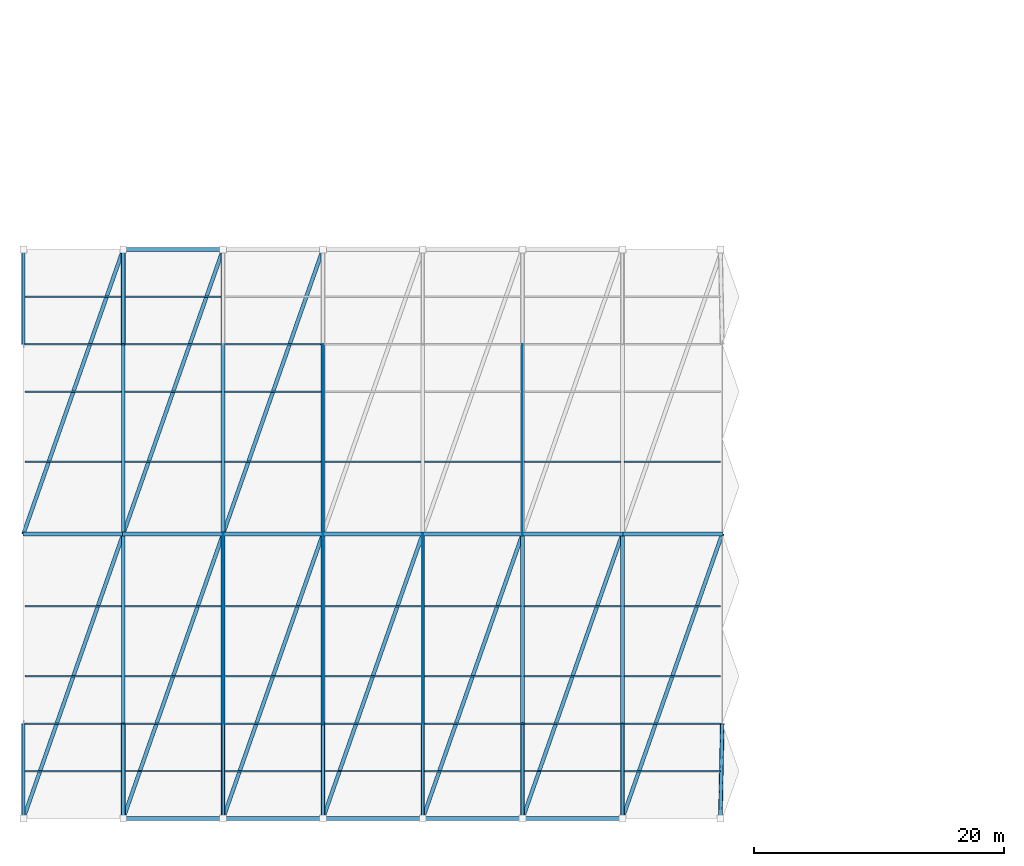
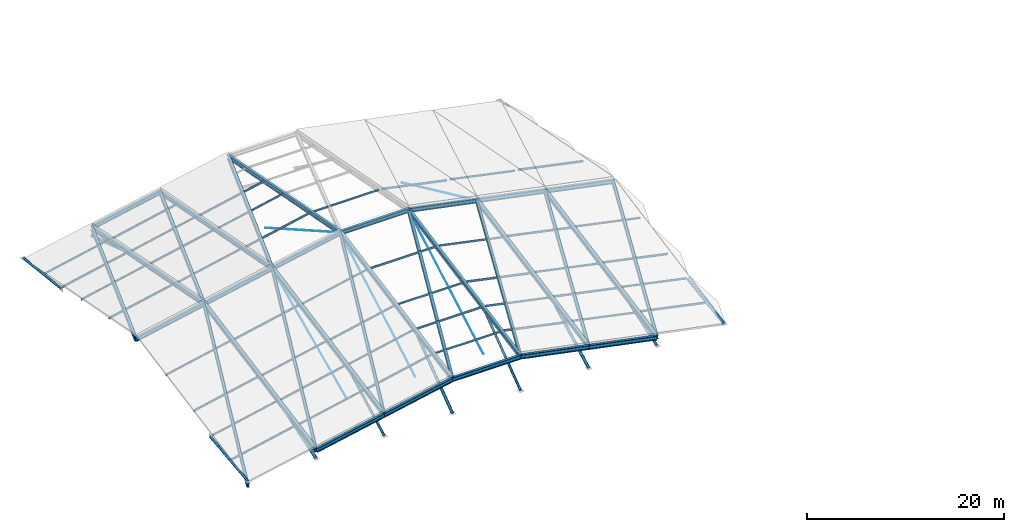
# One storey, part 1 of 9: 58 members, 32 beams.
"""IFC4 building model written with IfcOpenShell, lengths in metres."""

from ifc_helpers import new_model, si_unit, direction, frame, origin, origin_2d, place, context, subcontext, project, spatial, circle, hollow_circle, i_section, extrude, material, material_profile, profile_set, type_object, element, save


model = new_model("IFC4")

# Units and contexts
model_context = context("Model", 3, precision=1e-05, world=origin(), true_north=direction((0.0, 1.0)))
body_context = subcontext(model_context, "Body", "Model", "MODEL_VIEW")
ifc_project = project(units=[si_unit("LENGTHUNIT", "METRE"), si_unit("AREAUNIT", "SQUARE_METRE"), si_unit("VOLUMEUNIT", "CUBIC_METRE"), si_unit("PLANEANGLEUNIT", "RADIAN"), si_unit("MASSUNIT", "GRAM", prefix="KILO")], contexts=[model_context])

# Site, building, storey
site_placement = place(None, origin())
site = spatial("IfcSite", under=ifc_project, at=site_placement, CompositionType="ELEMENT")
building_placement = place(site_placement, origin())
building = spatial("IfcBuilding", under=site, at=building_placement, Name="Khelvaren Railside Concert Hall", CompositionType="ELEMENT")
storey_placement = place(building_placement, frame((0.0, 0.0, 29.39990234375)))
storey = spatial("IfcBuildingStorey", under=building, at=storey_placement, Name="ROOF", CompositionType="ELEMENT", Elevation=29.39990234375)

# Beams
ifc_material_1 = material(Name="Steel S355", Category="steel")
ifc_material_profile_1 = material_profile(ifc_material_1, i_section(OverallWidth=0.300048828125, OverallDepth=0.5, WebThickness=0.014404296875, FlangeThickness=0.028076171875, FilletRadius=0.027099609375, at=origin_2d()), Name="HEB 500")
ifc_profile_set_1 = profile_set([ifc_material_profile_1], Name="Steel S355")
beam_type = type_object("IfcBeamType", Name="BM98", PredefinedType="BEAM", material=ifc_profile_set_1)
for number, where, z_axis, x_axis, name in (
    (1, (8.0, 0.0, -1.567138671875), (0.0, 0.982190143434, 0.187889654161), (-1.0, 0.0, 0.0), "Main Hall Crystal Roof Beam B1-RAFSE"),
    (2, (8.0, 22.800048828125, 2.79443359375), (0.0, 0.982190143434, -0.187889654161), (-1.0, 0.0, 0.0), "Main Hall Crystal Roof Beam B1-RAFNE"),
):
    element("IfcBeam", number, at=place(storey_placement, frame(where, z_axis=z_axis, x_axis=x_axis)), inside=storey, type_object=beam_type, Name=name, PredefinedType="BEAM", context=body_context, shape_type="SweptSolid", body=[
        extrude(i_section(OverallWidth=0.300048828125, OverallDepth=0.5, WebThickness=0.014404296875, FlangeThickness=0.028076171875, FilletRadius=0.027099609375, at=origin_2d()), origin(), (0.0, 0.0, 1.0), 23.21337890625),
    ])
beam_1_placement = place(storey_placement, frame((0.0, 22.800048828125, 1.181640625), z_axis=(0.980278058899, 0.0, 0.197623195101), x_axis=(0.0, 1.0, 0.0)))
element("IfcBeam", 3, at=beam_1_placement, inside=storey, type_object=beam_type, Name="Main Hall Crystal Roof Beam B1-RIDGE", PredefinedType="BEAM", context=body_context, shape_type="SweptSolid", body=[
    extrude(i_section(OverallWidth=0.300048828125, OverallDepth=0.5, WebThickness=0.014404296875, FlangeThickness=0.028076171875, FilletRadius=0.027099609375, at=origin_2d()), origin(), (0.0, 0.0, 1.0), 8.160888671875),
])
beam_2_placement = place(storey_placement, frame((0.0, 0.0, -3.179931640625), z_axis=(0.321408213141, 0.916015369171, 0.240026256829), x_axis=(-0.94360020365, 0.331087081704, 0.0)))
element("IfcBeam", 4, at=beam_2_placement, inside=storey, type_object=beam_type, Name="Main Hall Crystal Roof Beam B1-DIAGS", PredefinedType="BEAM", context=body_context, shape_type="SweptSolid", body=[
    extrude(i_section(OverallWidth=0.300048828125, OverallDepth=0.5, WebThickness=0.014404296875, FlangeThickness=0.028076171875, FilletRadius=0.027099609375, at=origin_2d()), origin(), (0.0, 0.0, 1.0), 24.890380859375),
])
beam_3_placement = place(storey_placement, frame((0.0, 22.800048828125, 1.181640625), z_axis=(0.32896527427, 0.937553039514, -0.113031616913), x_axis=(-0.94360020365, 0.331087081704, 0.0)))
element("IfcBeam", 5, at=beam_3_placement, inside=storey, type_object=beam_type, Name="Main Hall Crystal Roof Beam B1-DIAGN", PredefinedType="BEAM", context=body_context, shape_type="SweptSolid", body=[
    extrude(i_section(OverallWidth=0.300048828125, OverallDepth=0.5, WebThickness=0.014404296875, FlangeThickness=0.028076171875, FilletRadius=0.027099609375, at=origin_2d()), origin(), (0.0, 0.0, 1.0), 24.318603515625),
])
for number, where, z_axis, x_axis, name in (
    (6, (16.0, 0.0, 0.045654296875), (0.0, 0.982190143434, 0.187889654161), (-1.0, 0.0, 0.0), "Main Hall Crystal Roof Beam B2-RAFSE"),
    (7, (16.0, 22.800048828125, 4.4072265625), (0.0, 0.982190143434, -0.187889654161), (-1.0, 0.0, 0.0), "Main Hall Crystal Roof Beam B2-RAFNE"),
):
    element("IfcBeam", number, at=place(storey_placement, frame(where, z_axis=z_axis, x_axis=x_axis)), inside=storey, type_object=beam_type, Name=name, PredefinedType="BEAM", context=body_context, shape_type="SweptSolid", body=[
        extrude(i_section(OverallWidth=0.300048828125, OverallDepth=0.5, WebThickness=0.014404296875, FlangeThickness=0.028076171875, FilletRadius=0.027099609375, at=origin_2d()), origin(), (0.0, 0.0, 1.0), 23.21337890625),
    ])
for number, where, z_axis, x_axis, name in (
    (8, (8.0, 22.800048828125, 2.79443359375), (0.980278058899, 0.0, 0.197623195101), (0.0, 1.0, 0.0), "Main Hall Crystal Roof Beam B2-RIDGE"),
    (9, (8.0, 0.0, -1.567138671875), (0.980278058899, 0.0, 0.197623195101), (0.0, 1.0, 0.0), "Main Hall Crystal Roof Beam B2-EAVES"),
    (10, (8.0, 45.60009765625, -1.567138671875), (0.980278058899, 0.0, 0.197623195101), (0.0, 1.0, 0.0), "Main Hall Crystal Roof Beam B2-EAVEN"),
):
    element("IfcBeam", number, at=place(storey_placement, frame(where, z_axis=z_axis, x_axis=x_axis)), inside=storey, type_object=beam_type, Name=name, PredefinedType="BEAM", context=body_context, shape_type="SweptSolid", body=[
        extrude(i_section(OverallWidth=0.300048828125, OverallDepth=0.5, WebThickness=0.014404296875, FlangeThickness=0.028076171875, FilletRadius=0.027099609375, at=origin_2d()), origin(), (0.0, 0.0, 1.0), 8.160888671875),
    ])
beam_4_placement = place(storey_placement, frame((8.0, 0.0, -1.567138671875), z_axis=(0.321408213141, 0.916015369171, 0.240026256829), x_axis=(-0.94360020365, 0.331087081704, 0.0)))
element("IfcBeam", 11, at=beam_4_placement, inside=storey, type_object=beam_type, Name="Main Hall Crystal Roof Beam B2-DIAGS", PredefinedType="BEAM", context=body_context, shape_type="SweptSolid", body=[
    extrude(i_section(OverallWidth=0.300048828125, OverallDepth=0.5, WebThickness=0.014404296875, FlangeThickness=0.028076171875, FilletRadius=0.027099609375, at=origin_2d()), origin(), (0.0, 0.0, 1.0), 24.890380859375),
])
beam_5_placement = place(storey_placement, frame((8.0, 22.800048828125, 2.79443359375), z_axis=(0.32896527427, 0.937553039514, -0.113031616913), x_axis=(-0.94360020365, 0.331087081704, 0.0)))
element("IfcBeam", 12, at=beam_5_placement, inside=storey, type_object=beam_type, Name="Main Hall Crystal Roof Beam B2-DIAGN", PredefinedType="BEAM", context=body_context, shape_type="SweptSolid", body=[
    extrude(i_section(OverallWidth=0.300048828125, OverallDepth=0.5, WebThickness=0.014404296875, FlangeThickness=0.028076171875, FilletRadius=0.027099609375, at=origin_2d()), origin(), (0.0, 0.0, 1.0), 24.318603515625),
])
for number, where, z_axis, x_axis, name in (
    (13, (24.0, 0.0, 1.658447265625), (0.0, 0.982190143434, 0.187889654161), (-1.0, 0.0, 0.0), "Main Hall Crystal Roof Beam B3-RAFSE"),
    (14, (24.0, 22.800048828125, 6.02001953125), (0.0, 0.982190143434, -0.187889654161), (-1.0, 0.0, 0.0), "Main Hall Crystal Roof Beam B3-RAFNE"),
):
    element("IfcBeam", number, at=place(storey_placement, frame(where, z_axis=z_axis, x_axis=x_axis)), inside=storey, type_object=beam_type, Name=name, PredefinedType="BEAM", context=body_context, shape_type="SweptSolid", body=[
        extrude(i_section(OverallWidth=0.300048828125, OverallDepth=0.5, WebThickness=0.014404296875, FlangeThickness=0.028076171875, FilletRadius=0.027099609375, at=origin_2d()), origin(), (0.0, 0.0, 1.0), 23.21337890625),
    ])
for number, where, z_axis, x_axis, name in (
    (15, (16.0, 22.800048828125, 4.4072265625), (0.980278058899, 0.0, 0.197623195101), (0.0, 1.0, 0.0), "Main Hall Crystal Roof Beam B3-RIDGE"),
    (16, (16.0, 0.0, 0.045654296875), (0.980278058899, 0.0, 0.197623195101), (0.0, 1.0, 0.0), "Main Hall Crystal Roof Beam B3-EAVES"),
):
    element("IfcBeam", number, at=place(storey_placement, frame(where, z_axis=z_axis, x_axis=x_axis)), inside=storey, type_object=beam_type, Name=name, PredefinedType="BEAM", context=body_context, shape_type="SweptSolid", body=[
        extrude(i_section(OverallWidth=0.300048828125, OverallDepth=0.5, WebThickness=0.014404296875, FlangeThickness=0.028076171875, FilletRadius=0.027099609375, at=origin_2d()), origin(), (0.0, 0.0, 1.0), 8.160888671875),
    ])
beam_6_placement = place(storey_placement, frame((16.0, 0.0, 0.045654296875), z_axis=(0.321408213141, 0.916015369171, 0.240026256829), x_axis=(-0.94360020365, 0.331087081704, 0.0)))
element("IfcBeam", 17, at=beam_6_placement, inside=storey, type_object=beam_type, Name="Main Hall Crystal Roof Beam B3-DIAGS", PredefinedType="BEAM", context=body_context, shape_type="SweptSolid", body=[
    extrude(i_section(OverallWidth=0.300048828125, OverallDepth=0.5, WebThickness=0.014404296875, FlangeThickness=0.028076171875, FilletRadius=0.027099609375, at=origin_2d()), origin(), (0.0, 0.0, 1.0), 24.890380859375),
])
beam_7_placement = place(storey_placement, frame((16.0, 22.800048828125, 4.4072265625), z_axis=(0.32896527427, 0.937553039514, -0.113031616913), x_axis=(-0.94360020365, 0.331087081704, 0.0)))
element("IfcBeam", 18, at=beam_7_placement, inside=storey, type_object=beam_type, Name="Main Hall Crystal Roof Beam B3-DIAGN", PredefinedType="BEAM", context=body_context, shape_type="SweptSolid", body=[
    extrude(i_section(OverallWidth=0.300048828125, OverallDepth=0.5, WebThickness=0.014404296875, FlangeThickness=0.028076171875, FilletRadius=0.027099609375, at=origin_2d()), origin(), (0.0, 0.0, 1.0), 24.318603515625),
])
beam_8_placement = place(storey_placement, frame((32.0, 0.0, 1.658447265625), z_axis=(0.0, 0.982190143434, 0.187889654161), x_axis=(-1.0, 0.0, 0.0)))
element("IfcBeam", 19, at=beam_8_placement, inside=storey, type_object=beam_type, Name="Main Hall Crystal Roof Beam B4-RAFSE", PredefinedType="BEAM", context=body_context, shape_type="SweptSolid", body=[
    extrude(i_section(OverallWidth=0.300048828125, OverallDepth=0.5, WebThickness=0.014404296875, FlangeThickness=0.028076171875, FilletRadius=0.027099609375, at=origin_2d()), origin(), (0.0, 0.0, 1.0), 23.21337890625),
])
for number, where, z_axis, x_axis, name in (
    (20, (24.0, 22.800048828125, 6.02001953125), (1.0, 0.0, 0.0), (0.0, 1.0, 0.0), "Main Hall Crystal Roof Beam B4-RIDGE"),
    (21, (24.0, 0.0, 1.658447265625), (1.0, 0.0, 0.0), (0.0, 1.0, 0.0), "Main Hall Crystal Roof Beam B4-EAVES"),
):
    element("IfcBeam", number, at=place(storey_placement, frame(where, z_axis=z_axis, x_axis=x_axis)), inside=storey, type_object=beam_type, Name=name, PredefinedType="BEAM", context=body_context, shape_type="SweptSolid", body=[
        extrude(i_section(OverallWidth=0.300048828125, OverallDepth=0.5, WebThickness=0.014404296875, FlangeThickness=0.028076171875, FilletRadius=0.027099609375, at=origin_2d()), origin(), (0.0, 0.0, 1.0), 8.0),
    ])
beam_9_placement = place(storey_placement, frame((24.0, 0.0, 1.658447265625), z_axis=(0.325821513861, 0.92859330316, 0.1776367598), x_axis=(-0.94360020365, 0.331087081704, 0.0)))
element("IfcBeam", 22, at=beam_9_placement, inside=storey, type_object=beam_type, Name="Main Hall Crystal Roof Beam B4-DIAGS", PredefinedType="BEAM", context=body_context, shape_type="SweptSolid", body=[
    extrude(i_section(OverallWidth=0.300048828125, OverallDepth=0.5, WebThickness=0.014404296875, FlangeThickness=0.028076171875, FilletRadius=0.027099609375, at=origin_2d()), origin(), (0.0, 0.0, 1.0), 24.55322265625),
])
beam_10_placement = place(storey_placement, frame((40.0, 0.0, 0.045654296875), z_axis=(0.0, 0.982190143434, 0.187889654161), x_axis=(-1.0, 0.0, 0.0)))
element("IfcBeam", 23, at=beam_10_placement, inside=storey, type_object=beam_type, Name="Main Hall Crystal Roof Beam B5-RAFSE", PredefinedType="BEAM", context=body_context, shape_type="SweptSolid", body=[
    extrude(i_section(OverallWidth=0.300048828125, OverallDepth=0.5, WebThickness=0.014404296875, FlangeThickness=0.028076171875, FilletRadius=0.027099609375, at=origin_2d()), origin(), (0.0, 0.0, 1.0), 23.21337890625),
])
for number, where, z_axis, x_axis, name in (
    (24, (32.0, 22.800048828125, 6.02001953125), (0.980278058899, 0.0, -0.197623195101), (0.0, 1.0, 0.0), "Main Hall Crystal Roof Beam B5-RIDGE"),
    (25, (32.0, 0.0, 1.658447265625), (0.980278058899, 0.0, -0.197623195101), (0.0, 1.0, 0.0), "Main Hall Crystal Roof Beam B5-EAVES"),
):
    element("IfcBeam", number, at=place(storey_placement, frame(where, z_axis=z_axis, x_axis=x_axis)), inside=storey, type_object=beam_type, Name=name, PredefinedType="BEAM", context=body_context, shape_type="SweptSolid", body=[
        extrude(i_section(OverallWidth=0.300048828125, OverallDepth=0.5, WebThickness=0.014404296875, FlangeThickness=0.028076171875, FilletRadius=0.027099609375, at=origin_2d()), origin(), (0.0, 0.0, 1.0), 8.160888671875),
    ])
beam_11_placement = place(storey_placement, frame((32.0, 0.0, 1.658447265625), z_axis=(0.32896527427, 0.937553039514, 0.113031616913), x_axis=(-0.94360020365, 0.331087081704, 0.0)))
element("IfcBeam", 26, at=beam_11_placement, inside=storey, type_object=beam_type, Name="Main Hall Crystal Roof Beam B5-DIAGS", PredefinedType="BEAM", context=body_context, shape_type="SweptSolid", body=[
    extrude(i_section(OverallWidth=0.300048828125, OverallDepth=0.5, WebThickness=0.014404296875, FlangeThickness=0.028076171875, FilletRadius=0.027099609375, at=origin_2d()), origin(), (0.0, 0.0, 1.0), 24.318603515625),
])
beam_12_placement = place(storey_placement, frame((48.0, 0.0, -1.567138671875), z_axis=(0.0, 0.982190143434, 0.187889654161), x_axis=(-1.0, 0.0, 0.0)))
element("IfcBeam", 27, at=beam_12_placement, inside=storey, type_object=beam_type, Name="Main Hall Crystal Roof Beam B6-RAFSE", PredefinedType="BEAM", context=body_context, shape_type="SweptSolid", body=[
    extrude(i_section(OverallWidth=0.300048828125, OverallDepth=0.5, WebThickness=0.014404296875, FlangeThickness=0.028076171875, FilletRadius=0.027099609375, at=origin_2d()), origin(), (0.0, 0.0, 1.0), 23.21337890625),
])
for number, where, z_axis, x_axis, name in (
    (28, (40.0, 22.800048828125, 4.4072265625), (0.980278058899, 0.0, -0.197623195101), (0.0, 1.0, 0.0), "Main Hall Crystal Roof Beam B6-RIDGE"),
    (29, (40.0, 0.0, 0.045654296875), (0.980278058899, 0.0, -0.197623195101), (0.0, 1.0, 0.0), "Main Hall Crystal Roof Beam B6-EAVES"),
):
    element("IfcBeam", number, at=place(storey_placement, frame(where, z_axis=z_axis, x_axis=x_axis)), inside=storey, type_object=beam_type, Name=name, PredefinedType="BEAM", context=body_context, shape_type="SweptSolid", body=[
        extrude(i_section(OverallWidth=0.300048828125, OverallDepth=0.5, WebThickness=0.014404296875, FlangeThickness=0.028076171875, FilletRadius=0.027099609375, at=origin_2d()), origin(), (0.0, 0.0, 1.0), 8.160888671875),
    ])
beam_13_placement = place(storey_placement, frame((40.0, 0.0, 0.045654296875), z_axis=(0.32896527427, 0.937553039514, 0.113031616913), x_axis=(-0.94360020365, 0.331087081704, 0.0)))
element("IfcBeam", 30, at=beam_13_placement, inside=storey, type_object=beam_type, Name="Main Hall Crystal Roof Beam B6-DIAGS", PredefinedType="BEAM", context=body_context, shape_type="SweptSolid", body=[
    extrude(i_section(OverallWidth=0.300048828125, OverallDepth=0.5, WebThickness=0.014404296875, FlangeThickness=0.028076171875, FilletRadius=0.027099609375, at=origin_2d()), origin(), (0.0, 0.0, 1.0), 24.318603515625),
])
beam_14_placement = place(storey_placement, frame((48.0, 22.800048828125, 2.79443359375), z_axis=(0.980278058899, 0.0, -0.197623195101), x_axis=(0.0, 1.0, 0.0)))
element("IfcBeam", 31, at=beam_14_placement, inside=storey, type_object=beam_type, Name="Main Hall Crystal Roof Beam B7-RIDGE", PredefinedType="BEAM", context=body_context, shape_type="SweptSolid", body=[
    extrude(i_section(OverallWidth=0.300048828125, OverallDepth=0.5, WebThickness=0.014404296875, FlangeThickness=0.028076171875, FilletRadius=0.027099609375, at=origin_2d()), origin(), (0.0, 0.0, 1.0), 8.160888671875),
])
beam_15_placement = place(storey_placement, frame((48.0, 0.0, -1.567138671875), z_axis=(0.32896527427, 0.937553039514, 0.113031616913), x_axis=(-0.94360020365, 0.331087081704, 0.0)))
element("IfcBeam", 32, at=beam_15_placement, inside=storey, type_object=beam_type, Name="Main Hall Crystal Roof Beam B7-DIAGS", PredefinedType="BEAM", context=body_context, shape_type="SweptSolid", body=[
    extrude(i_section(OverallWidth=0.300048828125, OverallDepth=0.5, WebThickness=0.014404296875, FlangeThickness=0.028076171875, FilletRadius=0.027099609375, at=origin_2d()), origin(), (0.0, 0.0, 1.0), 24.318603515625),
])

# Members
ifc_material_profile_2 = material_profile(ifc_material_1, i_section(OverallWidth=0.110107421875, OverallDepth=0.219970703125, WebThickness=0.005859375, FlangeThickness=0.00927734375, FilletRadius=0.011962890625, at=origin_2d()), Name="IPE 220")
ifc_profile_set_2 = profile_set([ifc_material_profile_2], Name="Steel S355")
member_type_1 = type_object("IfcMemberType", Name="PR25", PredefinedType="PURLIN", material=ifc_profile_set_2)
for number, where, z_axis, x_axis, name in (
    (33, (0.14990234375, 7.60009765625, -1.5859375), (0.978761962964, 0.0, 0.205000048426), (0.0, 1.0, 0.0), "Main Hall Crystal Roof Purlin B1.2"),
    (34, (0.14990234375, 17.0, 0.212158203125), (0.978761962964, 0.0, 0.205000048426), (0.0, 1.0, 0.0), "Main Hall Crystal Roof Purlin B1.4"),
    (35, (0.14990234375, 34.199951171875, -0.859130859375), (0.978761962964, 0.0, 0.205000048426), (0.0, 1.0, 0.0), "Main Hall Crystal Roof Purlin B1.6"),
    (36, (0.14990234375, 41.800048828125, -2.31298828125), (0.978761962964, 0.0, 0.205000048426), (0.0, 1.0, 0.0), "Main Hall Crystal Roof Purlin B1.8"),
    (37, (8.14990234375, 3.800048828125, -0.7001953125), (0.978761962964, 0.0, 0.205000048426), (0.0, 1.0, 0.0), "Main Hall Crystal Roof Purlin B2.1"),
    (38, (8.14990234375, 11.39990234375, 0.753662109375), (0.978761962964, 0.0, 0.205000048426), (0.0, 1.0, 0.0), "Main Hall Crystal Roof Purlin B2.3"),
    (39, (8.14990234375, 28.60009765625, 1.824951171875), (0.978761962964, 0.0, 0.205000048426), (0.0, 1.0, 0.0), "Main Hall Crystal Roof Purlin B2.5"),
    (40, (8.14990234375, 38.0, 0.02685546875), (0.978768189087, 0.0, 0.204970319877), (0.0, 1.0, 0.0), "Main Hall Crystal Roof Purlin B2.7"),
    (41, (16.14990234375, 7.60009765625, 1.639404296875), (0.978761962964, 0.0, 0.205000048426), (0.0, 1.0, 0.0), "Main Hall Crystal Roof Purlin B3.2"),
    (42, (16.14990234375, 17.0, 3.437744140625), (0.978761962964, 0.0, 0.205000048426), (0.0, 1.0, 0.0), "Main Hall Crystal Roof Purlin B3.4"),
    (43, (16.14990234375, 34.199951171875, 2.366455078125), (0.978761962964, 0.0, 0.205000048426), (0.0, 1.0, 0.0), "Main Hall Crystal Roof Purlin B3.6"),
):
    element("IfcMember", number, at=place(storey_placement, frame(where, z_axis=z_axis, x_axis=x_axis)), inside=storey, type_object=member_type_1, Name=name, PredefinedType="PURLIN", context=body_context, shape_type="SweptSolid", body=[
        extrude(i_section(OverallWidth=0.110107421875, OverallDepth=0.219970703125, WebThickness=0.005859375, FlangeThickness=0.00927734375, FilletRadius=0.011962890625, at=origin_2d()), origin(), (0.0, 0.0, 1.0), 7.8671875),
    ])
for number, where, z_axis, x_axis, name in (
    (44, (24.14990234375, 3.800048828125, 2.525390625), (1.0, 0.0, 0.0), (0.0, 1.0, 0.0), "Main Hall Crystal Roof Purlin B4.1"),
    (45, (24.14990234375, 11.39990234375, 3.979248046875), (1.0, 0.0, 0.0), (0.0, 1.0, 0.0), "Main Hall Crystal Roof Purlin B4.3"),
    (46, (24.14990234375, 28.60009765625, 5.050537109375), (1.0, 0.0, 0.0), (0.0, 1.0, 0.0), "Main Hall Crystal Roof Purlin B4.5"),
):
    element("IfcMember", number, at=place(storey_placement, frame(where, z_axis=z_axis, x_axis=x_axis)), inside=storey, type_object=member_type_1, Name=name, PredefinedType="PURLIN", context=body_context, shape_type="SweptSolid", body=[
        extrude(i_section(OverallWidth=0.110107421875, OverallDepth=0.219970703125, WebThickness=0.005859375, FlangeThickness=0.00927734375, FilletRadius=0.011962890625, at=origin_2d()), origin(), (0.0, 0.0, 1.0), 7.7001953125),
    ])
for number, where, z_axis, x_axis, name in (
    (47, (32.14990234375, 7.60009765625, 3.252197265625), (0.978761962964, 0.0, -0.205000048426), (0.0, 1.0, 0.0), "Main Hall Crystal Roof Purlin B5.2"),
    (48, (32.14990234375, 17.0, 5.050537109375), (0.978761962964, 0.0, -0.205000048426), (0.0, 1.0, 0.0), "Main Hall Crystal Roof Purlin B5.4"),
    (49, (40.14990234375, 3.800048828125, 0.91259765625), (0.978761962964, 0.0, -0.205000048426), (0.0, 1.0, 0.0), "Main Hall Crystal Roof Purlin B6.1"),
    (50, (40.14990234375, 11.39990234375, 2.366455078125), (0.978761962964, 0.0, -0.205000048426), (0.0, 1.0, 0.0), "Main Hall Crystal Roof Purlin B6.3"),
    (51, (40.14990234375, 28.60009765625, 3.437744140625), (0.978761962964, 0.0, -0.205000048426), (0.0, 1.0, 0.0), "Main Hall Crystal Roof Purlin B6.5"),
    (52, (48.14990234375, 7.60009765625, 0.02685546875), (0.978761962964, 0.0, -0.205000048426), (0.0, 1.0, 0.0), "Main Hall Crystal Roof Purlin B7.2"),
    (53, (48.14990234375, 17.0, 1.824951171875), (0.978761962964, 0.0, -0.205000048426), (0.0, 1.0, 0.0), "Main Hall Crystal Roof Purlin B7.4"),
):
    element("IfcMember", number, at=place(storey_placement, frame(where, z_axis=z_axis, x_axis=x_axis)), inside=storey, type_object=member_type_1, Name=name, PredefinedType="PURLIN", context=body_context, shape_type="SweptSolid", body=[
        extrude(i_section(OverallWidth=0.110107421875, OverallDepth=0.219970703125, WebThickness=0.005859375, FlangeThickness=0.00927734375, FilletRadius=0.011962890625, at=origin_2d()), origin(), (0.0, 0.0, 1.0), 7.8671875),
    ])
ifc_material_profile_3 = material_profile(ifc_material_1, i_section(OverallWidth=0.1201171875, OverallDepth=0.239990234375, WebThickness=0.006103515625, FlangeThickness=0.009765625, FilletRadius=0.014892578125, at=origin_2d()), Name="IPE 240")
ifc_profile_set_3 = profile_set([ifc_material_profile_3], Name="Steel S355")
member_type_2 = type_object("IfcMemberType", Name="PR40", PredefinedType="PURLIN", material=ifc_profile_set_3)
for number, where, z_axis, x_axis, name in (
    (54, (0.14990234375, 3.800048828125, -2.31298828125), (0.978761962964, 0.0, 0.205000048426), (0.0, 1.0, 0.0), "Main Hall Crystal Roof Purlin B1.1"),
    (55, (0.14990234375, 11.39990234375, -0.859130859375), (0.978761962964, 0.0, 0.205000048426), (0.0, 1.0, 0.0), "Main Hall Crystal Roof Purlin B1.3"),
    (56, (0.14990234375, 28.60009765625, 0.212158203125), (0.978761962964, 0.0, 0.205000048426), (0.0, 1.0, 0.0), "Main Hall Crystal Roof Purlin B1.5"),
    (57, (0.14990234375, 38.0, -1.5859375), (0.978761962964, 0.0, 0.205000048426), (0.0, 1.0, 0.0), "Main Hall Crystal Roof Purlin B1.7"),
    (58, (8.14990234375, 7.60009765625, 0.02685546875), (0.978768189087, 0.0, 0.204970319877), (0.0, 1.0, 0.0), "Main Hall Crystal Roof Purlin B2.2"),
    (59, (8.14990234375, 17.0, 1.824951171875), (0.978761962964, 0.0, 0.205000048426), (0.0, 1.0, 0.0), "Main Hall Crystal Roof Purlin B2.4"),
    (60, (8.14990234375, 34.199951171875, 0.753662109375), (0.978761962964, 0.0, 0.205000048426), (0.0, 1.0, 0.0), "Main Hall Crystal Roof Purlin B2.6"),
    (61, (8.14990234375, 41.800048828125, -0.7001953125), (0.978761962964, 0.0, 0.205000048426), (0.0, 1.0, 0.0), "Main Hall Crystal Roof Purlin B2.8"),
    (62, (16.14990234375, 3.800048828125, 0.91259765625), (0.978761962964, 0.0, 0.205000048426), (0.0, 1.0, 0.0), "Main Hall Crystal Roof Purlin B3.1"),
    (63, (16.14990234375, 11.39990234375, 2.366455078125), (0.978761962964, 0.0, 0.205000048426), (0.0, 1.0, 0.0), "Main Hall Crystal Roof Purlin B3.3"),
    (64, (16.14990234375, 28.60009765625, 3.437744140625), (0.978761962964, 0.0, 0.205000048426), (0.0, 1.0, 0.0), "Main Hall Crystal Roof Purlin B3.5"),
    (65, (16.14990234375, 38.0, 1.639404296875), (0.978761962964, 0.0, 0.205000048426), (0.0, 1.0, 0.0), "Main Hall Crystal Roof Purlin B3.7"),
):
    element("IfcMember", number, at=place(storey_placement, frame(where, z_axis=z_axis, x_axis=x_axis)), inside=storey, type_object=member_type_2, Name=name, PredefinedType="PURLIN", context=body_context, shape_type="SweptSolid", body=[
        extrude(i_section(OverallWidth=0.1201171875, OverallDepth=0.239990234375, WebThickness=0.006103515625, FlangeThickness=0.009765625, FilletRadius=0.014892578125, at=origin_2d()), origin(), (0.0, 0.0, 1.0), 7.8671875),
    ])
for number, where, z_axis, x_axis, name in (
    (66, (24.14990234375, 7.60009765625, 3.252197265625), (1.0, 0.0, 0.0), (0.0, 1.0, 0.0), "Main Hall Crystal Roof Purlin B4.2"),
    (67, (24.14990234375, 17.0, 5.050537109375), (1.0, 0.0, 0.0), (0.0, 1.0, 0.0), "Main Hall Crystal Roof Purlin B4.4"),
):
    element("IfcMember", number, at=place(storey_placement, frame(where, z_axis=z_axis, x_axis=x_axis)), inside=storey, type_object=member_type_2, Name=name, PredefinedType="PURLIN", context=body_context, shape_type="SweptSolid", body=[
        extrude(i_section(OverallWidth=0.1201171875, OverallDepth=0.239990234375, WebThickness=0.006103515625, FlangeThickness=0.009765625, FilletRadius=0.014892578125, at=origin_2d()), origin(), (0.0, 0.0, 1.0), 7.7001953125),
    ])
for number, where, z_axis, x_axis, name in (
    (68, (32.14990234375, 3.800048828125, 2.525390625), (0.978761962964, 0.0, -0.205000048426), (0.0, 1.0, 0.0), "Main Hall Crystal Roof Purlin B5.1"),
    (69, (32.14990234375, 11.39990234375, 3.979248046875), (0.978761962964, 0.0, -0.205000048426), (0.0, 1.0, 0.0), "Main Hall Crystal Roof Purlin B5.3"),
    (70, (32.14990234375, 28.60009765625, 5.050537109375), (0.978761962964, 0.0, -0.205000048426), (0.0, 1.0, 0.0), "Main Hall Crystal Roof Purlin B5.5"),
    (71, (40.14990234375, 7.60009765625, 1.639404296875), (0.978768189087, 0.0, -0.204970319877), (0.0, 1.0, 0.0), "Main Hall Crystal Roof Purlin B6.2"),
    (72, (40.14990234375, 17.0, 3.437744140625), (0.978761962964, 0.0, -0.205000048426), (0.0, 1.0, 0.0), "Main Hall Crystal Roof Purlin B6.4"),
    (73, (48.14990234375, 3.800048828125, -0.7001953125), (0.978761962964, 0.0, -0.205000048426), (0.0, 1.0, 0.0), "Main Hall Crystal Roof Purlin B7.1"),
    (74, (48.14990234375, 11.39990234375, 0.753662109375), (0.978761962964, 0.0, -0.205000048426), (0.0, 1.0, 0.0), "Main Hall Crystal Roof Purlin B7.3"),
    (75, (48.14990234375, 28.60009765625, 1.824951171875), (0.978761962964, 0.0, -0.205000048426), (0.0, 1.0, 0.0), "Main Hall Crystal Roof Purlin B7.5"),
):
    element("IfcMember", number, at=place(storey_placement, frame(where, z_axis=z_axis, x_axis=x_axis)), inside=storey, type_object=member_type_2, Name=name, PredefinedType="PURLIN", context=body_context, shape_type="SweptSolid", body=[
        extrude(i_section(OverallWidth=0.1201171875, OverallDepth=0.239990234375, WebThickness=0.006103515625, FlangeThickness=0.009765625, FilletRadius=0.014892578125, at=origin_2d()), origin(), (0.0, 0.0, 1.0), 7.8671875),
    ])
ifc_material_profile_4 = material_profile(ifc_material_1, hollow_circle(Radius=0.161865234375, WallThickness=0.01611328125, at=origin_2d()), Name="CHS 323.9x16")
ifc_profile_set_4 = profile_set([ifc_material_profile_4], Name="Steel S355")
member_type_3 = type_object("IfcMemberType", Name="RSU41", PredefinedType="STRUT", material=ifc_profile_set_4)
for number, where, z_axis, x_axis, name in (
    (76, (8.0, 0.0, -2.599853515625), (0.0, 0.950424201142, 0.310956327936), (-1.0, 0.0, 0.0), "Main Hall Crystal Raking Strut B2-S"),
    (77, (8.0, 45.60009765625, -2.599853515625), (0.0, -0.950424201142, 0.310956327936), (1.0, 0.0, 0.0), "Main Hall Crystal Raking Strut B2-N"),
):
    element("IfcMember", number, at=place(storey_placement, frame(where, z_axis=z_axis, x_axis=x_axis)), inside=storey, type_object=member_type_3, Name=name, PredefinedType="STRUT", context=body_context, shape_type="SweptSolid", body=[
        extrude(hollow_circle(Radius=0.161865234375, WallThickness=0.01611328125, at=origin_2d()), origin(), (0.0, 0.0, 1.0), 7.99658203125),
    ])
member_1_placement = place(storey_placement, frame((24.0, 0.0, -2.599853515625), z_axis=(0.0, 0.799389451668, 0.60081320272), x_axis=(-1.0, 0.0, 0.0)))
element("IfcMember", 78, at=member_1_placement, inside=storey, type_object=member_type_3, Name="Main Hall Crystal Raking Strut B4-S", PredefinedType="STRUT", context=body_context, shape_type="SweptSolid", body=[
    extrude(hollow_circle(Radius=0.161865234375, WallThickness=0.01611328125, at=origin_2d()), origin(), (0.0, 0.0, 1.0), 9.50732421875),
])
member_2_placement = place(storey_placement, frame((40.0, 0.0, -2.599853515625), z_axis=(0.0, 0.8801322502, 0.474728577356), x_axis=(-1.0, 0.0, 0.0)))
element("IfcMember", 79, at=member_2_placement, inside=storey, type_object=member_type_3, Name="Main Hall Crystal Raking Strut B6-S", PredefinedType="STRUT", context=body_context, shape_type="SweptSolid", body=[
    extrude(hollow_circle(Radius=0.161865234375, WallThickness=0.01611328125, at=origin_2d()), origin(), (0.0, 0.0, 1.0), 8.63525390625),
])
member_3_placement = place(storey_placement, frame((55.85009765625, 0.0, -2.599853515625), z_axis=(0.019590902724, 0.993265149531, 0.114195180539), x_axis=(-0.999805543791, 0.019719903755, 0.0)))
element("IfcMember", 80, at=member_3_placement, inside=storey, type_object=member_type_3, Name="Main Hall Crystal Raking Strut End-SE", PredefinedType="STRUT", context=body_context, shape_type="SweptSolid", body=[
    extrude(hollow_circle(Radius=0.161865234375, WallThickness=0.01611328125, at=origin_2d()), origin(), (0.0, 0.0, 1.0), 7.651611328125),
])
ifc_material_profile_5 = material_profile(ifc_material_1, hollow_circle(Radius=0.136474609375, WallThickness=0.01611328125, at=origin_2d()), Name="CHS 273x16")
ifc_profile_set_5 = profile_set([ifc_material_profile_5], Name="Steel S355")
member_type_4 = type_object("IfcMemberType", Name="RSU43", PredefinedType="STRUT", material=ifc_profile_set_5)
for number, where, z_axis, x_axis, name in (
    (81, (0.0, 0.0, -2.599853515625), (0.0, 0.993455813721, 0.114217101102), (-1.0, 0.0, 0.0), "Main Hall Crystal Raking Strut B1-S"),
    (82, (0.0, 45.60009765625, -2.599853515625), (0.0, -0.993455813721, 0.114217101102), (1.0, 0.0, 0.0), "Main Hall Crystal Raking Strut B1-N"),
):
    element("IfcMember", number, at=place(storey_placement, frame(where, z_axis=z_axis, x_axis=x_axis)), inside=storey, type_object=member_type_4, Name=name, PredefinedType="STRUT", context=body_context, shape_type="SweptSolid", body=[
        extrude(hollow_circle(Radius=0.136474609375, WallThickness=0.01611328125, at=origin_2d()), origin(), (0.0, 0.0, 1.0), 7.650146484375),
    ])
member_4_placement = place(storey_placement, frame((16.0, 0.0, -2.599853515625), z_axis=(0.0, 0.8801322502, 0.474728577356), x_axis=(-1.0, 0.0, 0.0)))
element("IfcMember", 83, at=member_4_placement, inside=storey, type_object=member_type_4, Name="Main Hall Crystal Raking Strut B3-S", PredefinedType="STRUT", context=body_context, shape_type="SweptSolid", body=[
    extrude(hollow_circle(Radius=0.136474609375, WallThickness=0.01611328125, at=origin_2d()), origin(), (0.0, 0.0, 1.0), 8.63525390625),
])
member_5_placement = place(storey_placement, frame((32.0, 0.0, -2.599853515625), z_axis=(0.0, 0.799389451668, 0.60081320272), x_axis=(-1.0, 0.0, 0.0)))
element("IfcMember", 84, at=member_5_placement, inside=storey, type_object=member_type_4, Name="Main Hall Crystal Raking Strut B5-S", PredefinedType="STRUT", context=body_context, shape_type="SweptSolid", body=[
    extrude(hollow_circle(Radius=0.136474609375, WallThickness=0.01611328125, at=origin_2d()), origin(), (0.0, 0.0, 1.0), 9.50732421875),
])
member_6_placement = place(storey_placement, frame((48.0, 0.0, -2.599853515625), z_axis=(0.0, 0.950424201142, 0.310956327936), x_axis=(-1.0, 0.0, 0.0)))
element("IfcMember", 85, at=member_6_placement, inside=storey, type_object=member_type_4, Name="Main Hall Crystal Raking Strut B7-S", PredefinedType="STRUT", context=body_context, shape_type="SweptSolid", body=[
    extrude(hollow_circle(Radius=0.136474609375, WallThickness=0.01611328125, at=origin_2d()), origin(), (0.0, 0.0, 1.0), 7.99658203125),
])
ifc_material_2 = material(Name="High-strength steel cable S460", Category="steel")
ifc_material_profile_6 = material_profile(ifc_material_2, circle(Radius=0.032470703125, at=origin_2d()), Name="LCB D65")
ifc_profile_set_6 = profile_set([ifc_material_profile_6], Name="High-strength steel cable S460")
member_type_5 = type_object("IfcMemberType", Name="TC89", PredefinedType="USERDEFINED", material=ifc_profile_set_6)
member_7_placement = place(storey_placement, frame((16.0, 7.60009765625, -2.619873046875), z_axis=(0.0, 0.907692506155, 0.419635930623), x_axis=(-1.0, 0.0, 0.0)))
element("IfcMember", 86, at=member_7_placement, inside=storey, type_object=member_type_5, Name="Main Hall Cable-Net Diagonal Stay 24", ObjectType="TENSION CABLE", PredefinedType="USERDEFINED", context=body_context, shape_type="SweptSolid", body=[
    extrude(circle(Radius=0.032470703125, at=origin_2d()), origin(), (0.0, 0.0, 1.0), 16.74560546875),
])
for number, where, z_axis, x_axis, name in (
    (87, (24.0, 7.60009765625, -2.619873046875), (0.0, 0.869369168116, 0.494163181074), (-1.0, 0.0, 0.0), "Main Hall Cable-Net Diagonal Stay 25"),
    (88, (24.0, 38.0, -2.619873046875), (0.0, -0.869369168116, 0.494163181074), (1.0, 0.0, 0.0), "Main Hall Cable-Net Diagonal Stay 26"),
    (89, (32.0, 7.60009765625, -2.619873046875), (0.0, 0.869369168116, 0.494163181074), (-1.0, 0.0, 0.0), "Main Hall Cable-Net Diagonal Stay 27"),
):
    element("IfcMember", number, at=place(storey_placement, frame(where, z_axis=z_axis, x_axis=x_axis)), inside=storey, type_object=member_type_5, Name=name, ObjectType="TENSION CABLE", PredefinedType="USERDEFINED", context=body_context, shape_type="SweptSolid", body=[
        extrude(circle(Radius=0.032470703125, at=origin_2d()), origin(), (0.0, 0.0, 1.0), 17.48388671875),
    ])
member_8_placement = place(storey_placement, frame((40.0, 38.0, -2.619873046875), z_axis=(0.0, -0.907692506155, 0.419635930623), x_axis=(1.0, 0.0, 0.0)))
element("IfcMember", 90, at=member_8_placement, inside=storey, type_object=member_type_5, Name="Main Hall Cable-Net Diagonal Stay 28", ObjectType="TENSION CABLE", PredefinedType="USERDEFINED", context=body_context, shape_type="SweptSolid", body=[
    extrude(circle(Radius=0.032470703125, at=origin_2d()), origin(), (0.0, 0.0, 1.0), 16.74560546875),
])

save(model, "model.ifc")
